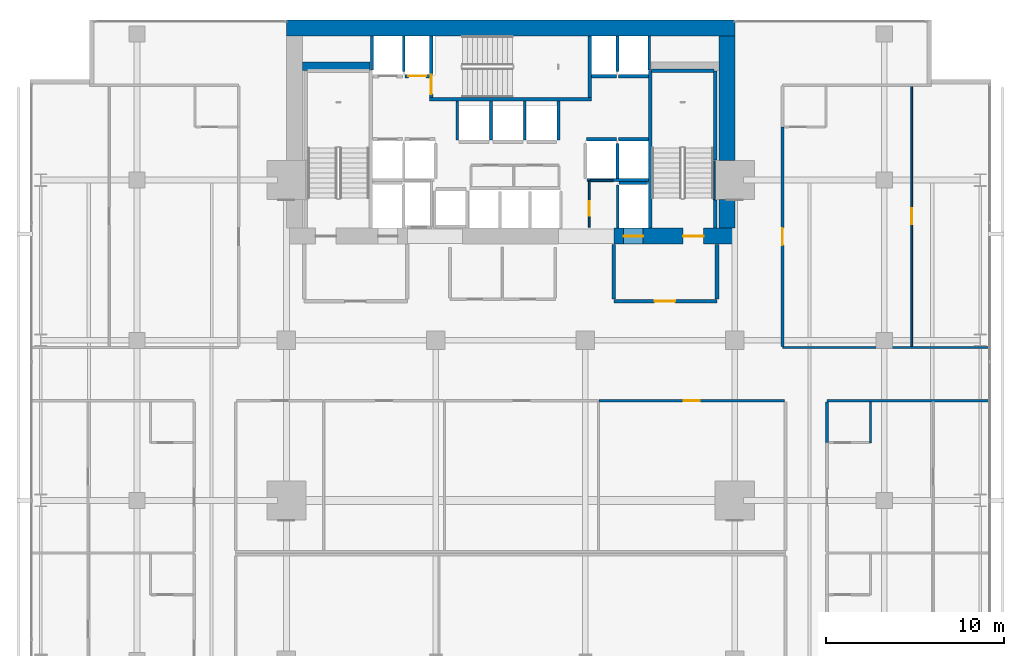
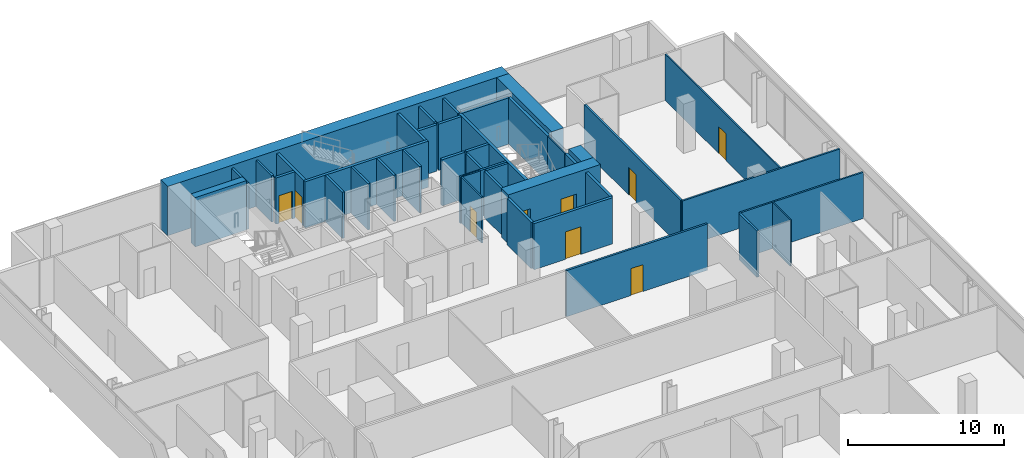
# One storey, part 36 of 40: 42 walls, 9 doors, 9 openings.
"""IFC4 building model written with IfcOpenShell, lengths in metres."""

from ifc_helpers import new_model, si_unit, direction, frame, frame_2d, origin, place, context, subcontext, project, spatial, rectangle, extrude, material, layer, layer_set, type_object, element, fill, save


model = new_model("IFC4")

# Units and contexts
model_context = context("Model", 3, precision=1e-05, world=origin(), true_north=direction((0.0, 1.0)))
body_context = subcontext(model_context, "Body", "Model", "MODEL_VIEW")
ifc_project = project(units=[si_unit("LENGTHUNIT", "METRE"), si_unit("AREAUNIT", "SQUARE_METRE"), si_unit("VOLUMEUNIT", "CUBIC_METRE"), si_unit("PLANEANGLEUNIT", "RADIAN"), si_unit("MASSUNIT", "GRAM", prefix="KILO")], contexts=[model_context])

# Site, building, storey
site_placement = place(None, origin())
site = spatial("IfcSite", under=ifc_project, at=site_placement, CompositionType="ELEMENT")
building_placement = place(site_placement, origin())
building = spatial("IfcBuilding", under=site, at=building_placement, Name="Maruvema Waterfront Hotel and Observation Tower", CompositionType="ELEMENT")
storey_placement = place(building_placement, frame((0.0, 0.0, 73.14990234375)))
storey = spatial("IfcBuildingStorey", under=building, at=storey_placement, Name="L17", CompositionType="ELEMENT", Elevation=73.14990234375)

# Wall, opening, door
ifc_material_1 = material(Name="Twin-stud acoustic gypsum drywall", Category="gypsum")
ifc_layer_1 = layer(ifc_material_1, 0.14990234375, Name="Acoustic Corridor and Suite Demising Wall 150 mm")
ifc_layer_set_1 = layer_set([ifc_layer_1], Name="Twin-stud acoustic gypsum drywall")
wall_type_1 = type_object("IfcWallType", Name="Acoustic Corridor and Suite Demising Wall 150 mm", PredefinedType="PARTITIONING", material=ifc_layer_set_1)
wall_1_placement = place(storey_placement, frame((42.77392578125, 32.60009765625, 0.0), z_axis=(0.0, 0.0, 1.0), x_axis=(1.0, 0.0, 0.0)))
wall_1 = element("IfcWall", 1, at=wall_1_placement, inside=storey, type_object=wall_type_1, Name="L17 L17-INTN Front 4 031", PredefinedType="PARTITIONING", context=body_context, shape_type="SweptSolid", body=[
    extrude(rectangle(XDim=10.416015625, YDim=0.14990234375, at=frame_2d((5.2080078125, 0.0))), origin(), (0.0, 0.0, 1.0), 3.610107421875),
])
opening_1_placement = place(wall_1_placement, frame((4.758056640625, 0.0, 0.0)))
opening_1 = element("IfcOpeningElement", 2, at=opening_1_placement, cuts=wall_1, Name="Opening DR-090", PredefinedType="OPENING", context=body_context, shape_type="SweptSolid", body=[
    extrude(rectangle(XDim=0.89990234375, YDim=2.10009765625, at=frame_2d((0.449951171875, 1.050048828125))), frame((0.0, 0.0849609375, 0.0), z_axis=(0.0, -1.0, 0.0), x_axis=(1.0, 0.0, 0.0)), (0.0, 0.0, 1.0), 0.169921875),
])
ifc_material_2 = material(Name="Solid-core lacquered timber leaf", Category="wood")
door_type_1 = type_object("IfcDoorType", Name="Accessible Toilet and Room Door 900x2100 mm", OperationType="NOTDEFINED", PredefinedType="DOOR", material=ifc_material_2)
door_1_placement = place(opening_1_placement, origin())
door_1 = element("IfcDoor", 3, at=door_1_placement, inside=storey, type_object=door_type_1, Name="L17 Private Study Office 3 Door", OperationType="SINGLE_SWING_LEFT", OverallHeight=2.10009765625, OverallWidth=0.89990234375, PredefinedType="DOOR", context=body_context, shape_type="SweptSolid", body=[
    extrude(rectangle(XDim=0.89990234375, YDim=2.10009765625, at=frame_2d((0.449951171875, 1.050048828125))), frame((0.0, 0.02490234375, 0.0), z_axis=(0.0, -1.0, 0.0), x_axis=(1.0, 0.0, 0.0)), (0.0, 0.0, 1.0), 0.050048828125),
])
fill(opening_1, door_1)

# Wall
wall_2_placement = place(storey_placement, frame((55.580078125, 30.25, 0.0), z_axis=(0.0, 0.0, 1.0), x_axis=(0.0, 1.0, 0.0)))
element("IfcWall", 4, at=wall_2_placement, inside=storey, type_object=wall_type_1, Name="L17 Bath L17-E2 Wall 082", PredefinedType="PARTITIONING", context=body_context, shape_type="SweptSolid", body=[
    extrude(rectangle(XDim=2.2900390625, YDim=0.14990234375, at=frame_2d((1.14501953125, 0.0))), origin(), (0.0, 0.0, 1.0), 3.610107421875),
])

# Wall, opening, door
wall_3_placement = place(storey_placement, frame((53.080078125, 35.659912109375, 0.0), z_axis=(0.0, 0.0, 1.0), x_axis=(0.0, 1.0, 0.0)))
wall_3 = element("IfcWall", 5, at=wall_3_placement, inside=storey, type_object=wall_type_1, Name="L17 Room L17-NE1 Corridor Wall 095", PredefinedType="PARTITIONING", context=body_context, shape_type="SweptSolid", body=[
    extrude(rectangle(XDim=12.32763671875, YDim=0.14990234375, at=frame_2d((6.163818359375, 0.0))), origin(), (0.0, 0.0, 1.0), 3.610107421875),
])
opening_2_placement = place(wall_3_placement, frame((5.688720703125, 0.0, 0.0)))
opening_2 = element("IfcOpeningElement", 6, at=opening_2_placement, cuts=wall_3, Name="Opening DR-095", PredefinedType="OPENING", context=body_context, shape_type="SweptSolid", body=[
    extrude(rectangle(XDim=0.949951171875, YDim=2.14990234375, at=frame_2d((0.47509765625, 1.074951171875))), frame((0.0, 0.0849609375, 0.0), z_axis=(0.0, -1.0, 0.0), x_axis=(1.0, 0.0, 0.0)), (0.0, 0.0, 1.0), 0.169921875),
])
ifc_material_3 = material(Name="Acoustic solid-core hardwood timber leaf", Category="wood")
door_type_2 = type_object("IfcDoorType", Name="Guestroom Entrance Fire Door 950x2150 mm", OperationType="NOTDEFINED", PredefinedType="DOOR", material=ifc_material_3)
door_2_placement = place(opening_2_placement, frame((0.949951171875, 0.0, 0.0), z_axis=(0.0, 0.0, 1.0), x_axis=(-1.0, 0.0, 0.0)))
door_2 = element("IfcDoor", 7, at=door_2_placement, inside=storey, type_object=door_type_2, Name="L17 Room L17-NE1 Entrance Door", OperationType="SINGLE_SWING_LEFT", OverallHeight=2.14990234375, OverallWidth=0.949951171875, PredefinedType="DOOR", context=body_context, shape_type="SweptSolid", body=[
    extrude(rectangle(XDim=0.949951171875, YDim=2.14990234375, at=frame_2d((0.47509765625, 1.074951171875))), frame((0.0, 0.02490234375, 0.0), z_axis=(0.0, -1.0, 0.0), x_axis=(1.0, 0.0, 0.0)), (0.0, 0.0, 1.0), 0.050048828125),
])
fill(opening_2, door_2)

# Walls
ifc_material_4 = material(Name="Precast concrete C45/55", Category="concrete")
ifc_layer_2 = layer(ifc_material_4, 0.199951171875, Name="Core Shaft and Stairwell Enclosure Wall 200 mm")
ifc_layer_set_2 = layer_set([ifc_layer_2], Name="Precast concrete C45/55")
wall_type_2 = type_object("IfcWallType", Name="Core Shaft and Stairwell Enclosure Wall 200 mm", PredefinedType="SOLIDWALL", material=ifc_layer_set_2)
wall_4_placement = place(storey_placement, frame((33.25, 49.550048828125, 0.0), z_axis=(0.0, 0.0, 1.0), x_axis=(1.0, 0.0, 0.0)))
element("IfcWall", 8, at=wall_4_placement, inside=storey, type_object=wall_type_2, Name="L17 Stairwell ST-02 Shaft Wall", PredefinedType="SOLIDWALL", context=body_context, shape_type="SweptSolid", body=[
    extrude(rectangle(XDim=9.10009765625, YDim=0.199951171875, at=frame_2d((4.550048828125, 0.0))), origin(), (0.0, 0.0, 1.0), 3.610107421875),
])
wall_5_placement = place(storey_placement, frame((42.25, 49.64990234375, 0.0), z_axis=(0.0, 0.0, 1.0), x_axis=(0.0, 1.0, 0.0)))
element("IfcWall", 9, at=wall_5_placement, inside=storey, type_object=wall_type_2, Name="L17 Stairwell ST-02 Shaft Wall", PredefinedType="SOLIDWALL", context=body_context, shape_type="SweptSolid", body=[
    extrude(rectangle(XDim=3.4501953125, YDim=0.199951171875, at=frame_2d((1.72509765625, 0.0))), origin(), (0.0, 0.0, 1.0), 3.610107421875),
])

# Wall, opening, door
wall_6_placement = place(storey_placement, frame((33.35009765625, 49.64990234375, 0.0), z_axis=(0.0, 0.0, 1.0), x_axis=(0.0, 1.0, 0.0)))
wall_6 = element("IfcWall", 10, at=wall_6_placement, inside=storey, type_object=wall_type_2, Name="L17 Stairwell ST-02 Shaft Wall", PredefinedType="SOLIDWALL", context=body_context, shape_type="SweptSolid", body=[
    extrude(rectangle(XDim=3.4501953125, YDim=0.199951171875, at=frame_2d((1.72509765625, 0.0))), origin(), (0.0, 0.0, 1.0), 3.610107421875),
])
opening_3_placement = place(wall_6_placement, frame((0.179931640625, 0.0, 0.0)))
opening_3 = element("IfcOpeningElement", 11, at=opening_3_placement, cuts=wall_6, Name="Opening SD-02", PredefinedType="OPENING", context=body_context, shape_type="SweptSolid", body=[
    extrude(rectangle(XDim=1.10009765625, YDim=2.14990234375, at=frame_2d((0.550048828125, 1.074951171875))), frame((0.0, 0.10986328125, 0.0), z_axis=(0.0, -1.0, 0.0), x_axis=(1.0, 0.0, 0.0)), (0.0, 0.0, 1.0), 0.219970703125),
])
ifc_material_5 = material(Name="Fire-rated galvanised steel leaf", Category="steel")
door_type_3 = type_object("IfcDoorType", Name="Central Exit Stair Fire Door 1100x2150 mm", OperationType="NOTDEFINED", PredefinedType="DOOR", material=ifc_material_5)
door_3_placement = place(opening_3_placement, frame((1.10009765625, 0.0, 0.0), z_axis=(0.0, 0.0, 1.0), x_axis=(-1.0, 0.0, 0.0)))
door_3 = element("IfcDoor", 12, at=door_3_placement, inside=storey, type_object=door_type_3, Name="L17 Exit Stair ST-02 Fire Door", OperationType="SINGLE_SWING_LEFT", OverallHeight=2.14990234375, OverallWidth=1.10009765625, PredefinedType="DOOR", context=body_context, shape_type="SweptSolid", body=[
    extrude(rectangle(XDim=1.10009765625, YDim=2.14990234375, at=frame_2d((0.550048828125, 1.074951171875))), frame((0.0, 0.02490234375, 0.0), z_axis=(0.0, -1.0, 0.0), x_axis=(1.0, 0.0, 0.0)), (0.0, 0.0, 1.0), 0.050048828125),
])
fill(opening_3, door_3)

# Walls
wall_7_placement = place(storey_placement, frame((45.64990234375, 42.300048828125, 0.0), z_axis=(0.0, 0.0, 1.0), x_axis=(0.0, 1.0, 0.0)))
element("IfcWall", 13, at=wall_7_placement, inside=storey, type_object=wall_type_2, Name="L17 Stairwell ST-03 West Shaft Wall", PredefinedType="SOLIDWALL", context=body_context, shape_type="SweptSolid", body=[
    extrude(rectangle(XDim=8.849853515625, YDim=0.199951171875, at=frame_2d((4.4248046875, 0.0))), origin(), (0.0, 0.0, 1.0), 3.610107421875),
])
wall_8_placement = place(storey_placement, frame((49.300048828125, 42.300048828125, 0.0), z_axis=(0.0, 0.0, 1.0), x_axis=(0.0, 1.0, 0.0)))
element("IfcWall", 14, at=wall_8_placement, inside=storey, type_object=wall_type_2, Name="L17 Stairwell ST-03 Shaft Lining Wall", PredefinedType="SOLIDWALL", context=body_context, shape_type="SweptSolid", body=[
    extrude(rectangle(XDim=1.579833984375, YDim=0.199951171875, at=frame_2d((0.7900390625, 0.0))), origin(), (0.0, 0.0, 1.0), 3.610107421875),
])
wall_9_placement = place(storey_placement, frame((49.300048828125, 46.1201171875, 0.0), z_axis=(0.0, 0.0, 1.0), x_axis=(0.0, 1.0, 0.0)))
element("IfcWall", 15, at=wall_9_placement, inside=storey, type_object=wall_type_2, Name="L17 Stairwell ST-03 Shaft Lining Wall", PredefinedType="SOLIDWALL", context=body_context, shape_type="SweptSolid", body=[
    extrude(rectangle(XDim=5.0, YDim=0.199951171875, at=frame_2d((2.5, 0.0))), origin(), (0.0, 0.0, 1.0), 3.610107421875),
])
wall_10_placement = place(storey_placement, frame((45.719970703125, 51.14990234375, 0.0), z_axis=(0.0, 0.0, 1.0), x_axis=(1.0, 0.0, 0.0)))
element("IfcWall", 16, at=wall_10_placement, inside=storey, type_object=wall_type_2, Name="L17 Stairwell ST-03 Shaft Lining Wall", PredefinedType="SOLIDWALL", context=body_context, shape_type="SweptSolid", body=[
    extrude(rectangle(XDim=3.5, YDim=0.199951171875, at=frame_2d((1.75, 0.0))), origin(), (0.0, 0.0, 1.0), 3.610107421875),
])

# Wall, opening, door
wall_11_placement = place(storey_placement, frame((31.860107421875, 50.85009765625, 0.0), z_axis=(0.0, 0.0, 1.0), x_axis=(1.0, 0.0, 0.0)))
wall_11 = element("IfcWall", 17, at=wall_11_placement, inside=storey, type_object=wall_type_2, Name="L17 Lift LF-04 Hoistway Front Wall", PredefinedType="SOLIDWALL", context=body_context, shape_type="SweptSolid", body=[
    extrude(rectangle(XDim=1.3798828125, YDim=0.199951171875, at=frame_2d((0.68994140625, 0.0))), origin(), (0.0, 0.0, 1.0), 3.610107421875),
])
opening_4_placement = place(wall_11_placement, frame((0.18994140625, 0.0, 0.0)))
opening_4 = element("IfcOpeningElement", 18, at=opening_4_placement, cuts=wall_11, Name="Opening LD-01", PredefinedType="OPENING", context=body_context, shape_type="SweptSolid", body=[
    extrude(rectangle(XDim=1.0, YDim=2.14990234375, at=frame_2d((0.5, 1.074951171875))), frame((0.0, 0.10986328125, 0.0), z_axis=(0.0, -1.0, 0.0), x_axis=(1.0, 0.0, 0.0)), (0.0, 0.0, 1.0), 0.219970703125),
])
ifc_material_6 = material(Name="Brushed stainless steel Grade 316", Category="steel")
door_type_4 = type_object("IfcDoorType", Name="Passenger Lift Sliding Landing Door 1000x2150 mm", OperationType="SLIDING_TO_LEFT", PredefinedType="DOOR", material=ifc_material_6)
door_4_placement = place(opening_4_placement, frame((1.0, 0.0, 0.0), z_axis=(0.0, 0.0, 1.0), x_axis=(-1.0, 0.0, 0.0)))
door_4 = element("IfcDoor", 19, at=door_4_placement, inside=storey, type_object=door_type_4, Name="L17 Lift LF-04 Sliding Landing Door", OperationType="SLIDING_TO_LEFT", OverallHeight=2.14990234375, OverallWidth=1.0, PredefinedType="DOOR", context=body_context, shape_type="SweptSolid", body=[
    extrude(rectangle(XDim=1.0, YDim=2.14990234375, at=frame_2d((0.5, 1.074951171875))), frame((0.0, 0.02490234375, 0.0), z_axis=(0.0, -1.0, 0.0), x_axis=(1.0, 0.0, 0.0)), (0.0, 0.0, 1.0), 0.050048828125),
])
fill(opening_4, door_4)

# Walls
for number, where, z_axis, x_axis, name in (
    (20, (42.06005859375, 47.300048828125, 0.0), (0.0, 0.0, 1.0), (1.0, 0.0, 0.0), "L17 Lift LF-05 Hoistway Front Wall"),
    (21, (43.860107421875, 47.300048828125, 0.0), (0.0, 0.0, 1.0), (1.0, 0.0, 0.0), "L17 Lift LF-06 Hoistway Front Wall"),
):
    element("IfcWall", number, at=place(storey_placement, frame(where, z_axis=z_axis, x_axis=x_axis)), inside=storey, type_object=wall_type_2, Name=name, PredefinedType="SOLIDWALL", context=body_context, shape_type="SweptSolid", body=[
        extrude(rectangle(XDim=1.679931640625, YDim=0.199951171875, at=frame_2d((0.83984375, 0.0))), origin(), (0.0, 0.0, 1.0), 3.610107421875),
    ])
wall_12_placement = place(storey_placement, frame((42.360107421875, 50.85009765625, 0.0), z_axis=(0.0, 0.0, 1.0), x_axis=(1.0, 0.0, 0.0)))
element("IfcWall", 22, at=wall_12_placement, inside=storey, type_object=wall_type_2, Name="L17 Lift LF-07 Hoistway Front Wall", PredefinedType="SOLIDWALL", context=body_context, shape_type="SweptSolid", body=[
    extrude(rectangle(XDim=1.3798828125, YDim=0.199951171875, at=frame_2d((0.68994140625, 0.0))), origin(), (0.0, 0.0, 1.0), 3.610107421875),
])
wall_13_placement = place(storey_placement, frame((43.860107421875, 50.85009765625, 0.0), z_axis=(0.0, 0.0, 1.0), x_axis=(1.0, 0.0, 0.0)))
element("IfcWall", 23, at=wall_13_placement, inside=storey, type_object=wall_type_2, Name="L17 Lift LF-08 Hoistway Front Wall", PredefinedType="SOLIDWALL", context=body_context, shape_type="SweptSolid", body=[
    extrude(rectangle(XDim=1.679931640625, YDim=0.199951171875, at=frame_2d((0.83984375, 0.0))), origin(), (0.0, 0.0, 1.0), 3.610107421875),
])
ifc_material_7 = material(Name="Concrete C70/85", Category="concrete")
ifc_layer_3 = layer(ifc_material_7, 0.5, Name="Core Shear Wall 500 mm")
ifc_layer_set_3 = layer_set([ifc_layer_3], Name="Concrete C70/85")
wall_type_3 = type_object("IfcWallType", Name="Core Shear Wall 500 mm", PredefinedType="SHEAR", material=ifc_layer_set_3)
wall_14_placement = place(storey_placement, frame((26.10009765625, 51.39990234375, 0.0), z_axis=(0.0, 0.0, 1.0), x_axis=(1.0, 0.0, 0.0)))
element("IfcWall", 24, at=wall_14_placement, inside=storey, type_object=wall_type_3, Name="L17 Internal Core Shear Wall NW 500 mm", PredefinedType="SHEAR", context=body_context, shape_type="SweptSolid", body=[
    extrude(rectangle(XDim=3.7998046875, YDim=0.5, at=frame_2d((1.89990234375, 0.0))), origin(), (0.0, 0.0, 1.0), 3.85009765625),
])
ifc_material_8 = material(Name="Concrete C80/95", Category="concrete")
ifc_layer_4 = layer(ifc_material_8, 0.89990234375, Name="Core Shear Wall 900 mm")
ifc_layer_set_4 = layer_set([ifc_layer_4], Name="Concrete C80/95")
wall_type_4 = type_object("IfcWallType", Name="Core Shear Wall 900 mm", PredefinedType="SHEAR", material=ifc_layer_set_4)
wall_15_placement = place(storey_placement, frame((25.199951171875, 53.550048828125, 0.0), z_axis=(0.0, 0.0, 1.0), x_axis=(1.0, 0.0, 0.0)))
element("IfcWall", 25, at=wall_15_placement, inside=storey, type_object=wall_type_4, Name="L17 North Core Shear Wall", PredefinedType="SHEAR", context=body_context, shape_type="SweptSolid", body=[
    extrude(rectangle(XDim=25.199951171875, YDim=0.89990234375, at=frame_2d((12.60009765625, 0.0))), origin(), (0.0, 0.0, 1.0), 3.85009765625),
])

# Wall, openings, doors
wall_16_placement = place(storey_placement, frame((43.60009765625, 41.85009765625, 0.0), z_axis=(0.0, 0.0, 1.0), x_axis=(1.0, 0.0, 0.0)))
wall_16 = element("IfcWall", 26, at=wall_16_placement, inside=storey, type_object=wall_type_4, Name="L17 South-East Core Shear Wall", PredefinedType="SHEAR", context=body_context, shape_type="SweptSolid", body=[
    extrude(rectangle(XDim=6.7998046875, YDim=0.89990234375, at=frame_2d((3.39990234375, 0.0))), origin(), (0.0, 0.0, 1.0), 3.85009765625),
])
opening_5_placement = place(wall_16_placement, frame((3.89990234375, 0.0, 0.0)))
opening_5 = element("IfcOpeningElement", 27, at=opening_5_placement, cuts=wall_16, Name="Opening SD-01", PredefinedType="OPENING", context=body_context, shape_type="SweptSolid", body=[
    extrude(rectangle(XDim=1.14990234375, YDim=2.14990234375, at=frame_2d((0.574951171875, 1.074951171875))), frame((0.0, 0.4599609375, 0.0), z_axis=(0.0, -1.0, 0.0), x_axis=(1.0, 0.0, 0.0)), (0.0, 0.0, 1.0), 0.919921875),
])
opening_6_placement = place(wall_16_placement, frame((0.550048828125, 0.0, 0.0)))
opening_6 = element("IfcOpeningElement", 28, at=opening_6_placement, cuts=wall_16, Name="Opening LD-03", PredefinedType="OPENING", context=body_context, shape_type="SweptSolid", body=[
    extrude(rectangle(XDim=1.10009765625, YDim=2.199951171875, at=frame_2d((0.550048828125, 1.10009765625))), frame((0.0, 0.4599609375, 0.0), z_axis=(0.0, -1.0, 0.0), x_axis=(1.0, 0.0, 0.0)), (0.0, 0.0, 1.0), 0.919921875),
])
ifc_material_9 = material(Name="Fire-rated galvanised steel leaf", Category="steel")
door_type_5 = type_object("IfcDoorType", Name="Exit Stair Fire Door 1150x2150 mm", OperationType="NOTDEFINED", PredefinedType="DOOR", material=ifc_material_9)
door_5_placement = place(opening_5_placement, origin())
door_5 = element("IfcDoor", 29, at=door_5_placement, inside=storey, type_object=door_type_5, Name="L17 Exit Stair ST-03 Fire Door", OperationType="SINGLE_SWING_RIGHT", OverallHeight=2.14990234375, OverallWidth=1.14990234375, PredefinedType="DOOR", context=body_context, shape_type="SweptSolid", body=[
    extrude(rectangle(XDim=1.14990234375, YDim=2.14990234375, at=frame_2d((0.574951171875, 1.074951171875))), frame((0.0, 0.02490234375, 0.0), z_axis=(0.0, -1.0, 0.0), x_axis=(1.0, 0.0, 0.0)), (0.0, 0.0, 1.0), 0.050048828125),
])
fill(opening_5, door_5)
ifc_material_10 = material(Name="Brushed stainless steel Grade 316", Category="steel")
door_type_6 = type_object("IfcDoorType", Name="Firefighting Lift Sliding Landing Door 1100x2200 mm", OperationType="SLIDING_TO_LEFT", PredefinedType="DOOR", material=ifc_material_10)
door_6_placement = place(opening_6_placement, frame((1.10009765625, 0.0, 0.0), z_axis=(0.0, 0.0, 1.0), x_axis=(-1.0, 0.0, 0.0)))
door_6 = element("IfcDoor", 30, at=door_6_placement, inside=storey, type_object=door_type_6, Name="L17 Firefighting Lift FL-02 Landing Door", OperationType="SLIDING_TO_LEFT", OverallHeight=2.199951171875, OverallWidth=1.10009765625, PredefinedType="DOOR", context=body_context, shape_type="SweptSolid", body=[
    extrude(rectangle(XDim=1.10009765625, YDim=2.199951171875, at=frame_2d((0.550048828125, 1.10009765625))), frame((0.0, 0.02490234375, 0.0), z_axis=(0.0, -1.0, 0.0), x_axis=(1.0, 0.0, 0.0)), (0.0, 0.0, 1.0), 0.050048828125),
])
fill(opening_6, door_6)

# Walls
wall_17_placement = place(storey_placement, frame((49.949951171875, 42.300048828125, 0.0), z_axis=(0.0, 0.0, 1.0), x_axis=(0.0, 1.0, 0.0)))
element("IfcWall", 31, at=wall_17_placement, inside=storey, type_object=wall_type_4, Name="L17 East-South Core Shear Wall", PredefinedType="SHEAR", context=body_context, shape_type="SweptSolid", body=[
    extrude(rectangle(XDim=1.599853515625, YDim=0.89990234375, at=frame_2d((0.7998046875, 0.0))), origin(), (0.0, 0.0, 1.0), 3.85009765625),
])
wall_18_placement = place(storey_placement, frame((49.949951171875, 46.10009765625, 0.0), z_axis=(0.0, 0.0, 1.0), x_axis=(0.0, 1.0, 0.0)))
element("IfcWall", 32, at=wall_18_placement, inside=storey, type_object=wall_type_4, Name="L17 East-North Core Shear Wall", PredefinedType="SHEAR", context=body_context, shape_type="SweptSolid", body=[
    extrude(rectangle(XDim=7.0, YDim=0.89990234375, at=frame_2d((3.5, 0.0))), origin(), (0.0, 0.0, 1.0), 3.85009765625),
])

# Wall, opening, door
ifc_material_11 = material(Name="Moisture-resistant cement-board drywall", Category="gypsum")
ifc_layer_5 = layer(ifc_material_11, 0.10009765625, Name="En-Suite Moisture-Resistant Partition 100 mm")
ifc_layer_set_5 = layer_set([ifc_layer_5], Name="Moisture-resistant cement-board drywall")
wall_type_5 = type_object("IfcWallType", Name="En-Suite Moisture-Resistant Partition 100 mm", PredefinedType="PARTITIONING", material=ifc_layer_set_5)
wall_19_placement = place(storey_placement, frame((42.219970703125, 42.35009765625, 0.0), z_axis=(0.0, 0.0, 1.0), x_axis=(0.0, 1.0, 0.0)))
wall_19 = element("IfcWall", 33, at=wall_19_placement, inside=storey, type_object=wall_type_5, Name="L17 Core Closet K2C West 015", PredefinedType="PARTITIONING", context=body_context, shape_type="SweptSolid", body=[
    extrude(rectangle(XDim=2.60986328125, YDim=0.10009765625, at=frame_2d((1.304931640625, 0.0))), origin(), (0.0, 0.0, 1.0), 3.610107421875),
])
opening_7_placement = place(wall_19_placement, frame((0.64990234375, 0.0, 0.0)))
opening_7 = element("IfcOpeningElement", 34, at=opening_7_placement, cuts=wall_19, Name="Opening DR-080", PredefinedType="OPENING", context=body_context, shape_type="SweptSolid", body=[
    extrude(rectangle(XDim=0.800048828125, YDim=2.050048828125, at=frame_2d((0.39990234375, 1.02490234375))), frame((0.0, 0.06005859375, 0.0), z_axis=(0.0, -1.0, 0.0), x_axis=(1.0, 0.0, 0.0)), (0.0, 0.0, 1.0), 0.1201171875),
])
ifc_material_12 = material(Name="Powder-coated steel access leaf", Category="steel")
door_type_7 = type_object("IfcDoorType", Name="Riser and Service Cupboard Door 800x2050 mm", OperationType="NOTDEFINED", PredefinedType="DOOR", material=ifc_material_12)
door_7_placement = place(opening_7_placement, frame((0.800048828125, 0.0, 0.0), z_axis=(0.0, 0.0, 1.0), x_axis=(-1.0, 0.0, 0.0)))
door_7 = element("IfcDoor", 35, at=door_7_placement, inside=storey, type_object=door_type_7, Name="L17 Core Housekeeping Closet Door", OperationType="SINGLE_SWING_LEFT", OverallHeight=2.050048828125, OverallWidth=0.800048828125, PredefinedType="DOOR", context=body_context, shape_type="SweptSolid", body=[
    extrude(rectangle(XDim=0.800048828125, YDim=2.050048828125, at=frame_2d((0.39990234375, 1.02490234375))), frame((0.0, 0.02490234375, 0.0), z_axis=(0.0, -1.0, 0.0), x_axis=(1.0, 0.0, 0.0)), (0.0, 0.0, 1.0), 0.050048828125),
])
fill(opening_7, door_7)

# Walls
wall_20_placement = place(storey_placement, frame((42.280029296875, 44.9599609375, 0.0), z_axis=(0.0, 0.0, 1.0), x_axis=(1.0, 0.0, 0.0)))
element("IfcWall", 36, at=wall_20_placement, inside=storey, type_object=wall_type_5, Name="L17 Core Closet K2C North 016", PredefinedType="PARTITIONING", context=body_context, shape_type="SweptSolid", body=[
    extrude(rectangle(XDim=1.300048828125, YDim=0.10009765625, at=frame_2d((0.64990234375, 0.0))), origin(), (0.0, 0.0, 1.0), 3.610107421875),
])
wall_21_placement = place(storey_placement, frame((58.030029296875, 30.25, 0.0), z_axis=(0.0, 0.0, 1.0), x_axis=(0.0, 1.0, 0.0)))
element("IfcWall", 37, at=wall_21_placement, inside=storey, type_object=wall_type_5, Name="L17 En-Suite L17-E2 E 083", PredefinedType="PARTITIONING", context=body_context, shape_type="SweptSolid", body=[
    extrude(rectangle(XDim=2.2900390625, YDim=0.10009765625, at=frame_2d((1.14501953125, 0.0))), origin(), (0.0, 0.0, 1.0), 3.610107421875),
])

# Wall, opening, door
wall_22_placement = place(storey_placement, frame((60.350341796875, 35.659912109375, 0.0), z_axis=(0.0, 0.0, 1.0), x_axis=(0.0, 1.0, 0.0)))
wall_22 = element("IfcWall", 38, at=wall_22_placement, inside=storey, type_object=wall_type_5, Name="L17 Suite L17-NE1 Split 099", PredefinedType="PARTITIONING", context=body_context, shape_type="SweptSolid", body=[
    extrude(rectangle(XDim=14.61767578125, YDim=0.10009765625, at=frame_2d((7.308837890625, 0.0))), origin(), (0.0, 0.0, 1.0), 3.610107421875),
])
opening_8_placement = place(wall_22_placement, frame((6.85888671875, 0.0, 0.0)))
opening_8 = element("IfcOpeningElement", 39, at=opening_8_placement, cuts=wall_22, Name="Opening DR-090", PredefinedType="OPENING", context=body_context, shape_type="SweptSolid", body=[
    extrude(rectangle(XDim=0.89990234375, YDim=2.10009765625, at=frame_2d((0.449951171875, 1.050048828125))), frame((0.0, 0.06005859375, 0.0), z_axis=(0.0, -1.0, 0.0), x_axis=(1.0, 0.0, 0.0)), (0.0, 0.0, 1.0), 0.1201171875),
])
door_8_placement = place(opening_8_placement, frame((0.89990234375, 0.0, 0.0), z_axis=(0.0, 0.0, 1.0), x_axis=(-1.0, 0.0, 0.0)))
door_8 = element("IfcDoor", 40, at=door_8_placement, inside=storey, type_object=door_type_1, Name="L17 Suite L17-NE1 Bedroom Door", OperationType="SINGLE_SWING_RIGHT", OverallHeight=2.10009765625, OverallWidth=0.89990234375, PredefinedType="DOOR", context=body_context, shape_type="SweptSolid", body=[
    extrude(rectangle(XDim=0.89990234375, YDim=2.10009765625, at=frame_2d((0.449951171875, 1.050048828125))), frame((0.0, 0.02490234375, 0.0), z_axis=(0.0, -1.0, 0.0), x_axis=(1.0, 0.0, 0.0)), (0.0, 0.0, 1.0), 0.050048828125),
])
fill(opening_8, door_8)

ifc_material_13 = material(Name="Autoclaved cellular concrete blockwork", Category="masonry")
ifc_layer_6 = layer(ifc_material_13, 0.199951171875, Name="Fire Compartment Masonry Wall 200 mm")
ifc_layer_set_6 = layer_set([ifc_layer_6], Name="Autoclaved cellular concrete blockwork")
wall_type_6 = type_object("IfcWallType", Name="Fire Compartment Masonry Wall 200 mm", PredefinedType="PARTITIONING", material=ifc_layer_set_6)
wall_23_placement = place(storey_placement, frame((43.60009765625, 38.199951171875, 0.0), z_axis=(0.0, 0.0, 1.0), x_axis=(1.0, 0.0, 0.0)))
wall_23 = element("IfcWall", 41, at=wall_23_placement, inside=storey, type_object=wall_type_6, Name="L17 FFL East South Wall 004", PredefinedType="PARTITIONING", context=body_context, shape_type="SweptSolid", body=[
    extrude(rectangle(XDim=5.7998046875, YDim=0.199951171875, at=frame_2d((2.89990234375, 0.0))), origin(), (0.0, 0.0, 1.0), 3.610107421875),
])
opening_9_placement = place(wall_23_placement, frame((2.300048828125, 0.0, 0.0)))
opening_9 = element("IfcOpeningElement", 42, at=opening_9_placement, cuts=wall_23, Name="Opening FD-115", PredefinedType="OPENING", context=body_context, shape_type="SweptSolid", body=[
    extrude(rectangle(XDim=1.14990234375, YDim=2.14990234375, at=frame_2d((0.574951171875, 1.074951171875))), frame((0.0, 0.10986328125, 0.0), z_axis=(0.0, -1.0, 0.0), x_axis=(1.0, 0.0, 0.0)), (0.0, 0.0, 1.0), 0.219970703125),
])
ifc_material_14 = material(Name="Fire-rated galvanised steel and vision glass", Category="steel")
door_type_8 = type_object("IfcDoorType", Name="Firefighting Lobby Fire Door 1150x2150 mm", OperationType="NOTDEFINED", PredefinedType="DOOR", material=ifc_material_14)
door_9_placement = place(opening_9_placement, frame((1.14990234375, 0.0, 0.0), z_axis=(0.0, 0.0, 1.0), x_axis=(-1.0, 0.0, 0.0)))
door_9 = element("IfcDoor", 43, at=door_9_placement, inside=storey, type_object=door_type_8, Name="L17 Firefighting Lobby East Door", OperationType="SINGLE_SWING_LEFT", OverallHeight=2.14990234375, OverallWidth=1.14990234375, PredefinedType="DOOR", context=body_context, shape_type="SweptSolid", body=[
    extrude(rectangle(XDim=1.14990234375, YDim=2.14990234375, at=frame_2d((0.574951171875, 1.074951171875))), frame((0.0, 0.02490234375, 0.0), z_axis=(0.0, -1.0, 0.0), x_axis=(1.0, 0.0, 0.0)), (0.0, 0.0, 1.0), 0.050048828125),
])
fill(opening_9, door_9)

# Walls
for number, where, z_axis, x_axis, name in (
    (44, (43.60009765625, 38.31005859375, 0.0), (0.0, 0.0, 1.0), (0.0, 1.0, 0.0), "L17 FFL East West Wall 005"),
    (45, (49.39990234375, 38.31005859375, 0.0), (0.0, 0.0, 1.0), (0.0, 1.0, 0.0), "L17 FFL East East Wall 006"),
):
    element("IfcWall", number, at=place(storey_placement, frame(where, z_axis=z_axis, x_axis=x_axis)), inside=storey, type_object=wall_type_6, Name=name, PredefinedType="PARTITIONING", context=body_context, shape_type="SweptSolid", body=[
        extrude(rectangle(XDim=3.06982421875, YDim=0.199951171875, at=frame_2d((1.534912109375, 0.0))), origin(), (0.0, 0.0, 1.0), 3.610107421875),
    ])
ifc_material_15 = material(Name="Acoustic gypsum plasterboard drywall", Category="gypsum")
ifc_layer_7 = layer(ifc_material_15, 0.125, Name="Guestroom Acoustic Demising Wall 125 mm")
ifc_layer_set_7 = layer_set([ifc_layer_7], Name="Acoustic gypsum plasterboard drywall")
wall_type_7 = type_object("IfcWallType", Name="Guestroom Acoustic Demising Wall 125 mm", PredefinedType="PARTITIONING", material=ifc_layer_set_7)
wall_24_placement = place(storey_placement, frame((55.580078125, 32.60009765625, 0.0), z_axis=(0.0, 0.0, 1.0), x_axis=(1.0, 0.0, 0.0)))
element("IfcWall", 46, at=wall_24_placement, inside=storey, type_object=wall_type_7, Name="L17 E Top End 063", PredefinedType="PARTITIONING", context=body_context, shape_type="SweptSolid", body=[
    extrude(rectangle(XDim=9.119873046875, YDim=0.125, at=frame_2d((4.56005859375, 0.0))), origin(), (0.0, 0.0, 1.0), 3.610107421875),
])
wall_25_placement = place(storey_placement, frame((53.080078125, 35.60009765625, 0.0), z_axis=(0.0, 0.0, 1.0), x_axis=(1.0, 0.0, 0.0)))
element("IfcWall", 47, at=wall_25_placement, inside=storey, type_object=wall_type_7, Name="L17 NE Bot End 087", PredefinedType="PARTITIONING", context=body_context, shape_type="SweptSolid", body=[
    extrude(rectangle(XDim=11.619873046875, YDim=0.125, at=frame_2d((5.81005859375, 0.0))), origin(), (0.0, 0.0, 1.0), 3.610107421875),
])
ifc_material_16 = material(Name="Precast concrete C45/55", Category="concrete")
ifc_layer_8 = layer(ifc_material_16, 0.159912109375, Name="Lift Hoistway Divider Wall 160 mm")
ifc_layer_set_8 = layer_set([ifc_layer_8], Name="Precast concrete C45/55")
wall_type_8 = type_object("IfcWallType", Name="Lift Hoistway Divider Wall 160 mm", PredefinedType="SOLIDWALL", material=ifc_layer_set_8)
wall_26_placement = place(storey_placement, frame((43.89990234375, 44.830078125, 0.0), z_axis=(0.0, 0.0, 1.0), x_axis=(1.0, 0.0, 0.0)))
element("IfcWall", 48, at=wall_26_placement, inside=storey, type_object=wall_type_8, Name="L17 Lift FL-02 Rear Hoistway Wall", PredefinedType="SOLIDWALL", context=body_context, shape_type="SweptSolid", body=[
    extrude(rectangle(XDim=1.60009765625, YDim=0.159912109375, at=frame_2d((0.800048828125, 0.0))), origin(), (0.0, 0.0, 1.0), 3.610107421875),
])
wall_27_placement = place(storey_placement, frame((43.820068359375, 42.300048828125, 0.0), z_axis=(0.0, 0.0, 1.0), x_axis=(0.0, 1.0, 0.0)))
element("IfcWall", 49, at=wall_27_placement, inside=storey, type_object=wall_type_8, Name="L17 Lift FL-02 Inner Hoistway Wall", PredefinedType="SOLIDWALL", context=body_context, shape_type="SweptSolid", body=[
    extrude(rectangle(XDim=2.43994140625, YDim=0.159912109375, at=frame_2d((1.219970703125, 0.0))), origin(), (0.0, 0.0, 1.0), 3.610107421875),
])
wall_28_placement = place(storey_placement, frame((30.010009765625, 51.179931640625, 0.0), z_axis=(0.0, 0.0, 1.0), x_axis=(0.0, 1.0, 0.0)))
element("IfcWall", 50, at=wall_28_placement, inside=storey, type_object=wall_type_8, Name="L17 Hoistway Divider Wall", PredefinedType="SOLIDWALL", context=body_context, shape_type="SweptSolid", body=[
    extrude(rectangle(XDim=1.920166015625, YDim=0.159912109375, at=frame_2d((0.9599609375, 0.0))), origin(), (0.0, 0.0, 1.0), 3.610107421875),
])
wall_29_placement = place(storey_placement, frame((31.800048828125, 51.10009765625, 0.0), z_axis=(0.0, 0.0, 1.0), x_axis=(0.0, 1.0, 0.0)))
element("IfcWall", 51, at=wall_29_placement, inside=storey, type_object=wall_type_8, Name="L17 Hoistway Divider Wall", PredefinedType="SOLIDWALL", context=body_context, shape_type="SweptSolid", body=[
    extrude(rectangle(XDim=2.0, YDim=0.159912109375, at=frame_2d((1.0, 0.0))), origin(), (0.0, 0.0, 1.0), 3.610107421875),
])
wall_30_placement = place(storey_placement, frame((43.800048828125, 45.10009765625, 0.0), z_axis=(0.0, 0.0, 1.0), x_axis=(0.0, 1.0, 0.0)))
element("IfcWall", 52, at=wall_30_placement, inside=storey, type_object=wall_type_8, Name="L17 Hoistway Divider Wall", PredefinedType="SOLIDWALL", context=body_context, shape_type="SweptSolid", body=[
    extrude(rectangle(XDim=1.949951171875, YDim=0.159912109375, at=frame_2d((0.97509765625, 0.0))), origin(), (0.0, 0.0, 1.0), 3.610107421875),
])
wall_31_placement = place(storey_placement, frame((42.10009765625, 45.010009765625, 0.0), z_axis=(0.0, 0.0, 1.0), x_axis=(1.0, 0.0, 0.0)))
element("IfcWall", 53, at=wall_31_placement, inside=storey, type_object=wall_type_8, Name="L17 Hoistway Divider Wall", PredefinedType="SOLIDWALL", context=body_context, shape_type="SweptSolid", body=[
    extrude(rectangle(XDim=3.449951171875, YDim=0.159912109375, at=frame_2d((1.72509765625, 0.0))), origin(), (0.0, 0.0, 1.0), 3.610107421875),
])
wall_32_placement = place(storey_placement, frame((45.590087890625, 51.179931640625, 0.0), z_axis=(0.0, 0.0, 1.0), x_axis=(0.0, 1.0, 0.0)))
element("IfcWall", 54, at=wall_32_placement, inside=storey, type_object=wall_type_8, Name="L17 Hoistway Divider Wall", PredefinedType="SOLIDWALL", context=body_context, shape_type="SweptSolid", body=[
    extrude(rectangle(XDim=1.920166015625, YDim=0.159912109375, at=frame_2d((0.9599609375, 0.0))), origin(), (0.0, 0.0, 1.0), 3.610107421875),
])
wall_33_placement = place(storey_placement, frame((43.800048828125, 51.10009765625, 0.0), z_axis=(0.0, 0.0, 1.0), x_axis=(0.0, 1.0, 0.0)))
element("IfcWall", 55, at=wall_33_placement, inside=storey, type_object=wall_type_8, Name="L17 Hoistway Divider Wall", PredefinedType="SOLIDWALL", context=body_context, shape_type="SweptSolid", body=[
    extrude(rectangle(XDim=2.0, YDim=0.159912109375, at=frame_2d((1.0, 0.0))), origin(), (0.0, 0.0, 1.0), 3.610107421875),
])
for number, where, z_axis, x_axis, name in (
    (56, (34.800048828125, 47.25, 0.0), (0.0, 0.0, 1.0), (0.0, 1.0, 0.0), "L17 Hoistway Divider Wall"),
    (57, (36.699951171875, 47.25, 0.0), (0.0, 0.0, 1.0), (0.0, 1.0, 0.0), "L17 Hoistway Divider Wall"),
    (58, (38.60009765625, 47.25, 0.0), (0.0, 0.0, 1.0), (0.0, 1.0, 0.0), "L17 Hoistway Divider Wall"),
    (59, (40.5, 47.25, 0.0), (0.0, 0.0, 1.0), (0.0, 1.0, 0.0), "L17 Hoistway Divider Wall"),
):
    element("IfcWall", number, at=place(storey_placement, frame(where, z_axis=z_axis, x_axis=x_axis)), inside=storey, type_object=wall_type_8, Name=name, PredefinedType="SOLIDWALL", context=body_context, shape_type="SweptSolid", body=[
        extrude(rectangle(XDim=2.18994140625, YDim=0.159912109375, at=frame_2d((1.094970703125, 0.0))), origin(), (0.0, 0.0, 1.0), 3.610107421875),
    ])
ifc_material_17 = material(Name="Precast concrete C45/55", Category="concrete")
ifc_layer_9 = layer(ifc_material_17, 0.10009765625, Name="Stairwell Stringer Cheek Wall 100 mm")
ifc_layer_set_9 = layer_set([ifc_layer_9], Name="Precast concrete C45/55")
wall_type_9 = type_object("IfcWallType", Name="Stairwell Stringer Cheek Wall 100 mm", PredefinedType="SOLIDWALL", material=ifc_layer_set_9)
wall_34_placement = place(storey_placement, frame((49.248046875, 43.89990234375, 0.0), z_axis=(0.0, 0.0, 1.0), x_axis=(0.0, 1.0, 0.0)))
element("IfcWall", 60, at=wall_34_placement, inside=storey, type_object=wall_type_9, Name="L17 Stairwell ST-03 Mega-Column Cheek Wall", PredefinedType="SOLIDWALL", context=body_context, shape_type="SweptSolid", body=[
    extrude(rectangle(XDim=2.2001953125, YDim=0.10009765625, at=frame_2d((1.10009765625, 0.0))), origin(), (0.0, 0.0, 1.0), 3.610107421875),
])

save(model, "model.ifc")
